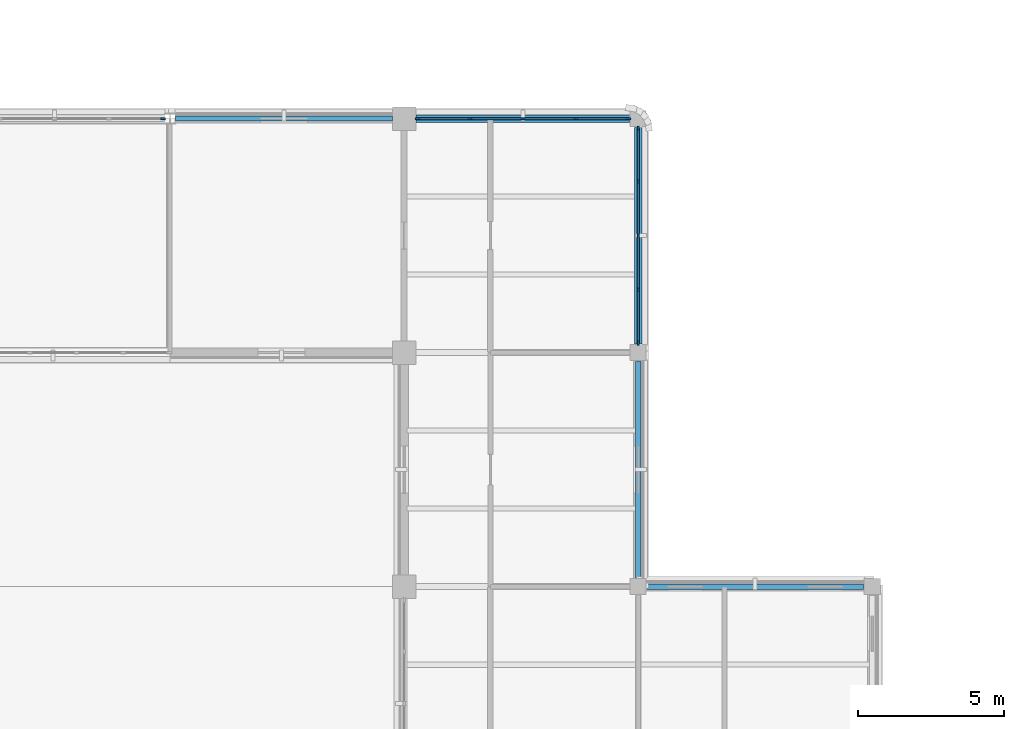
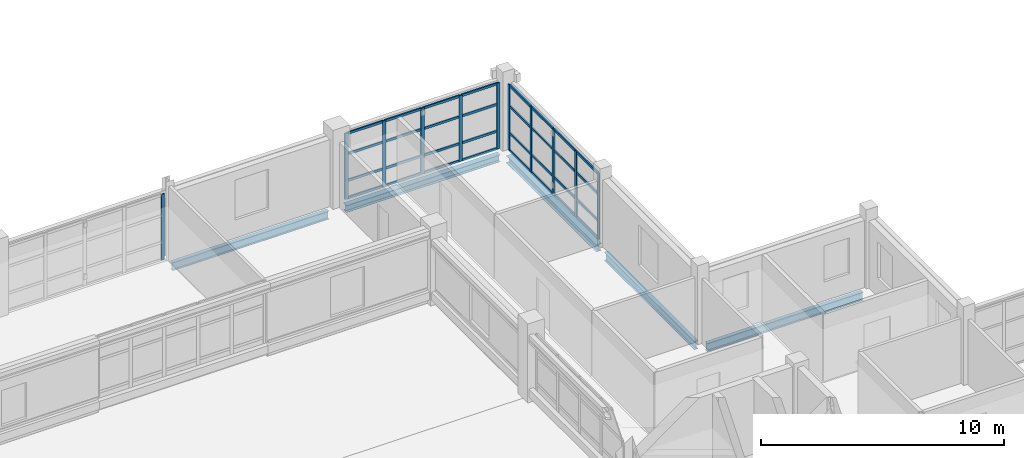
# One storey, part 37 of 107: 43 members, 5 beams, 3 elements without a shape of their own.
"""IFC4 building model written with IfcOpenShell, lengths in metres."""

from ifc_helpers import new_model, si_unit, derived_unit, direction, frame, origin, origin_2d, place, context, subcontext, project, spatial, rectangle, i_section, extrude, material, layer, layer_set, material_profile, profile_set, type_object, element, aggregate, save


model = new_model("IFC4")

# Units and contexts
model_context = context("Model", 3, precision=1e-05, world=origin(), true_north=direction((0.0, 1.0)))
body_context = subcontext(model_context, "Body", "Model", "MODEL_VIEW")
ifc_project = project(units=[si_unit("LENGTHUNIT", "METRE"), si_unit("AREAUNIT", "SQUARE_METRE"), si_unit("VOLUMEUNIT", "CUBIC_METRE"), si_unit("PLANEANGLEUNIT", "RADIAN"), si_unit("MASSUNIT", "GRAM", prefix="KILO"), derived_unit("THERMALTRANSMITTANCEUNIT", [(si_unit("MASSUNIT", "GRAM", prefix="KILO"), 1), (si_unit("TIMEUNIT", "SECOND"), -3), (si_unit("THERMODYNAMICTEMPERATUREUNIT", "KELVIN"), -1)])], contexts=[model_context])

# Site, building, storey
site_placement = place(None, origin())
site = spatial("IfcSite", under=ifc_project, at=site_placement, CompositionType="ELEMENT")
building_placement = place(site_placement, origin())
building = spatial("IfcBuilding", under=site, at=building_placement, Name="Veyamyaing Civic Hall", CompositionType="ELEMENT")
storey_placement = place(building_placement, frame((0.0, 0.0, 13.860107421875)))
storey = spatial("IfcBuildingStorey", under=building, at=storey_placement, Name="L03", CompositionType="ELEMENT", Elevation=13.860107421875)

# Beams
ifc_material_1 = material(Name="Steel ASTM A992", Category="steel")
ifc_material_profile_1 = material_profile(ifc_material_1, i_section(OverallWidth=0.180908203125, OverallDepth=0.4169921875, WebThickness=0.010986328125, FlangeThickness=0.018310546875, FilletRadius=0.010009765625, at=origin_2d()), Name="W410X85")
ifc_profile_set_1 = profile_set([ifc_material_profile_1], Name="Steel ASTM A992")
beam_type_1 = type_object("IfcBeamType", Name="B-19", PredefinedType="SPANDREL", material=ifc_profile_set_1)
beam_1_placement = place(storey_placement, frame((112.300048828125, 64.0, -0.463623046875), z_axis=(1.0, 0.0, 0.0), x_axis=(0.0, 1.0, 0.0)))
element("IfcBeam", 1, at=beam_1_placement, inside=storey, type_object=beam_type_1, Name="Girder B-19 L03 Grid J 15-16", PredefinedType="SPANDREL", context=body_context, shape_type="SweptSolid", body=[
    extrude(i_section(OverallWidth=0.180908203125, OverallDepth=0.4169921875, WebThickness=0.010986328125, FlangeThickness=0.018310546875, FilletRadius=0.010009765625, at=origin_2d()), origin(), (0.0, 0.0, 1.0), 7.39990234375),
])
beam_2_placement = place(storey_placement, frame((96.185546875, 80.0, -0.463623046875), z_axis=(1.0, 0.0, 0.0), x_axis=(0.0, 1.0, 0.0)))
element("IfcBeam", 2, at=beam_2_placement, inside=storey, type_object=beam_type_1, Name="Girder B-19 L03 Grid L 13-14", PredefinedType="SPANDREL", context=body_context, shape_type="SweptSolid", body=[
    extrude(i_section(OverallWidth=0.180908203125, OverallDepth=0.4169921875, WebThickness=0.010986328125, FlangeThickness=0.018310546875, FilletRadius=0.010009765625, at=origin_2d()), origin(), (0.0, 0.0, 1.0), 7.41455078125),
])
beam_3_placement = place(storey_placement, frame((112.0, 64.300048828125, -0.463623046875), z_axis=(0.0, 1.0, 0.0), x_axis=(-1.0, 0.0, 0.0)))
element("IfcBeam", 3, at=beam_3_placement, inside=storey, type_object=beam_type_1, Name="Girder B-19 L03 Grid 15 J-K", PredefinedType="SPANDREL", context=body_context, shape_type="SweptSolid", body=[
    extrude(i_section(OverallWidth=0.180908203125, OverallDepth=0.4169921875, WebThickness=0.010986328125, FlangeThickness=0.018310546875, FilletRadius=0.010009765625, at=origin_2d()), origin(), (0.0, 0.0, 1.0), 7.39990234375),
])
ifc_material_profile_2 = material_profile(ifc_material_1, i_section(OverallWidth=0.25390625, OverallDepth=0.35302734375, WebThickness=0.009521484375, FlangeThickness=0.016357421875, FilletRadius=0.011962890625, at=origin_2d()), Name="W360X91")
ifc_profile_set_2 = profile_set([ifc_material_profile_2], Name="Steel ASTM A992")
beam_type_2 = type_object("IfcBeamType", Name="B-20", PredefinedType="SPANDREL", material=ifc_profile_set_2)
beam_4_placement = place(storey_placement, frame((104.39990234375, 80.0, -0.431640625), z_axis=(1.0, 0.0, 0.0), x_axis=(0.0, 1.0, 0.0)))
element("IfcBeam", 4, at=beam_4_placement, inside=storey, type_object=beam_type_2, Name="Girder B-20 L03 Grid L 14-15", PredefinedType="SPANDREL", context=body_context, shape_type="SweptSolid", body=[
    extrude(i_section(OverallWidth=0.25390625, OverallDepth=0.35302734375, WebThickness=0.009521484375, FlangeThickness=0.016357421875, FilletRadius=0.011962890625, at=origin_2d()), origin(), (0.0, 0.0, 1.0), 7.300048828125),
])
beam_5_placement = place(storey_placement, frame((112.0, 72.300048828125, -0.431640625), z_axis=(0.0, 1.0, 0.0), x_axis=(-1.0, 0.0, 0.0)))
element("IfcBeam", 5, at=beam_5_placement, inside=storey, type_object=beam_type_2, Name="Girder B-20 L03 Grid 15 K-L", PredefinedType="SPANDREL", context=body_context, shape_type="SweptSolid", body=[
    extrude(i_section(OverallWidth=0.25390625, OverallDepth=0.35302734375, WebThickness=0.009521484375, FlangeThickness=0.016357421875, FilletRadius=0.011962890625, at=origin_2d()), origin(), (0.0, 0.0, 1.0), 7.39990234375),
])

# Curtain wall, member
ifc_material_2 = material(Name="Anodised aluminium 6063-T6", Category="aluminium")
ifc_layer = layer(ifc_material_2, 0.159912109375, Name="Anodised aluminium 6063-T6")
ifc_layer_set = layer_set([ifc_layer], Name="Anodised aluminium 6063-T6")
curtain_wall_type = type_object("IfcCurtainWallType", Name="CW-07", PredefinedType="NOTDEFINED", material=ifc_layer_set)
curtain_wall_1_placement = place(storey_placement, origin())
curtain_wall_1 = element("IfcCurtainWall", 6, at=curtain_wall_1_placement, inside=storey, type_object=curtain_wall_type, Name="Unitized curtain wall CW-07 L03 N 12.10", PredefinedType="NOTDEFINED")
ifc_material_profile_3 = material_profile(ifc_material_2, rectangle(XDim=0.06494140625, YDim=0.159912109375, at=origin_2d()), Name="ALU-MUL-65X160")
ifc_profile_set_3 = profile_set([ifc_material_profile_3], Name="Anodised aluminium 6063-T6")
member_type_1 = type_object("IfcMemberType", Name="CWM-01", PredefinedType="MULLION", material=ifc_profile_set_3)
member_1_placement = place(storey_placement, frame((95.7529296875, 80.0, 0.0), z_axis=(0.0, 0.0, 1.0), x_axis=(0.0, 1.0, 0.0)))
member_1 = element("IfcMember", 7, at=member_1_placement, type_object=member_type_1, Name="CW-07 mullion 5", PredefinedType="MULLION", context=body_context, shape_type="SweptSolid", body=[
    extrude(rectangle(XDim=0.06494140625, YDim=0.159912109375, at=origin_2d()), origin(), (0.0, 0.0, 1.0), 3.294921875),
])
aggregate(curtain_wall_1, [member_1])

# Curtain wall, members
curtain_wall_2_placement = place(storey_placement, origin())
curtain_wall_2 = element("IfcCurtainWall", 8, at=curtain_wall_2_placement, inside=storey, type_object=curtain_wall_type, Name="Unitized curtain wall CW-07 L03 N 14.10", PredefinedType="NOTDEFINED")
member_2_placement = place(storey_placement, frame((104.46240234375, 80.0, 0.0), z_axis=(0.0, 0.0, 1.0), x_axis=(0.0, 1.0, 0.0)))
member_2 = element("IfcMember", 9, at=member_2_placement, type_object=member_type_1, Name="CW-07 mullion 1", PredefinedType="MULLION", context=body_context, shape_type="SweptSolid", body=[
    extrude(rectangle(XDim=0.06494140625, YDim=0.159912109375, at=origin_2d()), origin(), (0.0, 0.0, 1.0), 3.303955078125),
])
member_3_placement = place(storey_placement, frame((106.246337890625, 80.0, 0.0), z_axis=(0.0, 0.0, 1.0), x_axis=(0.0, 1.0, 0.0)))
member_3 = element("IfcMember", 10, at=member_3_placement, type_object=member_type_1, Name="CW-07 mullion 2", PredefinedType="MULLION", context=body_context, shape_type="SweptSolid", body=[
    extrude(rectangle(XDim=0.06494140625, YDim=0.159912109375, at=origin_2d()), origin(), (0.0, 0.0, 1.0), 3.303955078125),
])
member_4_placement = place(storey_placement, frame((108.0625, 80.0, 0.0), z_axis=(0.0, 0.0, 1.0), x_axis=(0.0, 1.0, 0.0)))
member_4 = element("IfcMember", 11, at=member_4_placement, type_object=member_type_1, Name="CW-07 mullion 3", PredefinedType="MULLION", context=body_context, shape_type="SweptSolid", body=[
    extrude(rectangle(XDim=0.06494140625, YDim=0.159912109375, at=origin_2d()), origin(), (0.0, 0.0, 1.0), 3.303955078125),
])
member_5_placement = place(storey_placement, frame((109.878662109375, 80.0, 0.0), z_axis=(0.0, 0.0, 1.0), x_axis=(0.0, 1.0, 0.0)))
member_5 = element("IfcMember", 12, at=member_5_placement, type_object=member_type_1, Name="CW-07 mullion 4", PredefinedType="MULLION", context=body_context, shape_type="SweptSolid", body=[
    extrude(rectangle(XDim=0.06494140625, YDim=0.159912109375, at=origin_2d()), origin(), (0.0, 0.0, 1.0), 3.303955078125),
])
member_6_placement = place(storey_placement, frame((111.66259765625, 80.0, 0.0), z_axis=(0.0, 0.0, 1.0), x_axis=(0.0, 1.0, 0.0)))
member_6 = element("IfcMember", 13, at=member_6_placement, type_object=member_type_1, Name="CW-07 mullion 5", PredefinedType="MULLION", context=body_context, shape_type="SweptSolid", body=[
    extrude(rectangle(XDim=0.06494140625, YDim=0.159912109375, at=origin_2d()), origin(), (0.0, 0.0, 1.0), 3.303955078125),
])

curtain_wall_3_placement = place(storey_placement, origin())
curtain_wall_3 = element("IfcCurtainWall", 14, at=curtain_wall_3_placement, inside=storey, type_object=curtain_wall_type, Name="Unitized curtain wall CW-07 L03 E 14.10", PredefinedType="NOTDEFINED")
member_7_placement = place(storey_placement, frame((112.0, 72.33740234375, 0.0), z_axis=(0.0, 0.0, 1.0), x_axis=(-1.0, 0.0, 0.0)))
member_7 = element("IfcMember", 15, at=member_7_placement, type_object=member_type_1, Name="CW-07 mullion 1", PredefinedType="MULLION", context=body_context, shape_type="SweptSolid", body=[
    extrude(rectangle(XDim=0.06494140625, YDim=0.159912109375, at=origin_2d()), origin(), (0.0, 0.0, 1.0), 3.303955078125),
])
member_8_placement = place(storey_placement, frame((112.0, 74.152587890625, 0.0), z_axis=(0.0, 0.0, 1.0), x_axis=(-1.0, 0.0, 0.0)))
member_8 = element("IfcMember", 16, at=member_8_placement, type_object=member_type_1, Name="CW-07 mullion 2", PredefinedType="MULLION", context=body_context, shape_type="SweptSolid", body=[
    extrude(rectangle(XDim=0.06494140625, YDim=0.159912109375, at=origin_2d()), origin(), (0.0, 0.0, 1.0), 3.303955078125),
])
member_9_placement = place(storey_placement, frame((112.0, 76.0, 0.0), z_axis=(0.0, 0.0, 1.0), x_axis=(-1.0, 0.0, 0.0)))
member_9 = element("IfcMember", 17, at=member_9_placement, type_object=member_type_1, Name="CW-07 mullion 3", PredefinedType="MULLION", context=body_context, shape_type="SweptSolid", body=[
    extrude(rectangle(XDim=0.06494140625, YDim=0.159912109375, at=origin_2d()), origin(), (0.0, 0.0, 1.0), 3.303955078125),
])
member_10_placement = place(storey_placement, frame((112.0, 77.847412109375, 0.0), z_axis=(0.0, 0.0, 1.0), x_axis=(-1.0, 0.0, 0.0)))
member_10 = element("IfcMember", 18, at=member_10_placement, type_object=member_type_1, Name="CW-07 mullion 4", PredefinedType="MULLION", context=body_context, shape_type="SweptSolid", body=[
    extrude(rectangle(XDim=0.06494140625, YDim=0.159912109375, at=origin_2d()), origin(), (0.0, 0.0, 1.0), 3.303955078125),
])
member_11_placement = place(storey_placement, frame((112.0, 79.66259765625, 0.0), z_axis=(0.0, 0.0, 1.0), x_axis=(-1.0, 0.0, 0.0)))
member_11 = element("IfcMember", 19, at=member_11_placement, type_object=member_type_1, Name="CW-07 mullion 5", PredefinedType="MULLION", context=body_context, shape_type="SweptSolid", body=[
    extrude(rectangle(XDim=0.06494140625, YDim=0.159912109375, at=origin_2d()), origin(), (0.0, 0.0, 1.0), 3.303955078125),
])

# Member
ifc_material_profile_4 = material_profile(ifc_material_2, rectangle(XDim=0.06494140625, YDim=0.1201171875, at=origin_2d()), Name="ALU-TRN-65X120")
ifc_profile_set_4 = profile_set([ifc_material_profile_4], Name="Anodised aluminium 6063-T6")
member_type_2 = type_object("IfcMemberType", Name="CWT-01", PredefinedType="USERDEFINED", material=ifc_profile_set_4)
member_12_placement = place(storey_placement, frame((104.4951171875, 80.0, 0.032470703125), z_axis=(1.0, 0.0, 0.0), x_axis=(0.0, 1.0, 0.0)))
member_12 = element("IfcMember", 20, at=member_12_placement, type_object=member_type_2, Name="CW-07 transom 1.1", ObjectType="TRANSOM", PredefinedType="USERDEFINED", context=body_context, shape_type="SweptSolid", body=[
    extrude(rectangle(XDim=0.06494140625, YDim=0.1201171875, at=origin_2d()), origin(), (0.0, 0.0, 1.0), 1.71875),
])

member_13_placement = place(storey_placement, frame((104.4951171875, 80.0, 0.89990234375), z_axis=(1.0, 0.0, 0.0), x_axis=(0.0, 1.0, 0.0)))
member_13 = element("IfcMember", 21, at=member_13_placement, type_object=member_type_2, Name="CW-07 transom 1.2", ObjectType="TRANSOM", PredefinedType="USERDEFINED", context=body_context, shape_type="SweptSolid", body=[
    extrude(rectangle(XDim=0.06494140625, YDim=0.1201171875, at=origin_2d()), origin(), (0.0, 0.0, 1.0), 1.71875),
])

member_14_placement = place(storey_placement, frame((104.4951171875, 80.0, 2.24658203125), z_axis=(1.0, 0.0, 0.0), x_axis=(0.0, 1.0, 0.0)))
member_14 = element("IfcMember", 22, at=member_14_placement, type_object=member_type_2, Name="CW-07 transom 1.3", ObjectType="TRANSOM", PredefinedType="USERDEFINED", context=body_context, shape_type="SweptSolid", body=[
    extrude(rectangle(XDim=0.06494140625, YDim=0.1201171875, at=origin_2d()), origin(), (0.0, 0.0, 1.0), 1.71875),
])

member_15_placement = place(storey_placement, frame((104.4951171875, 80.0, 3.271484375), z_axis=(1.0, 0.0, 0.0), x_axis=(0.0, 1.0, 0.0)))
member_15 = element("IfcMember", 23, at=member_15_placement, type_object=member_type_2, Name="CW-07 transom 1.4", ObjectType="TRANSOM", PredefinedType="USERDEFINED", context=body_context, shape_type="SweptSolid", body=[
    extrude(rectangle(XDim=0.06494140625, YDim=0.1201171875, at=origin_2d()), origin(), (0.0, 0.0, 1.0), 1.71875),
])

member_16_placement = place(storey_placement, frame((106.27880859375, 80.0, 0.032470703125), z_axis=(1.0, 0.0, 0.0), x_axis=(0.0, 1.0, 0.0)))
member_16 = element("IfcMember", 24, at=member_16_placement, type_object=member_type_2, Name="CW-07 transom 2.1", ObjectType="TRANSOM", PredefinedType="USERDEFINED", context=body_context, shape_type="SweptSolid", body=[
    extrude(rectangle(XDim=0.06494140625, YDim=0.1201171875, at=origin_2d()), origin(), (0.0, 0.0, 1.0), 1.751220703125),
])

member_17_placement = place(storey_placement, frame((106.27880859375, 80.0, 0.89990234375), z_axis=(1.0, 0.0, 0.0), x_axis=(0.0, 1.0, 0.0)))
member_17 = element("IfcMember", 25, at=member_17_placement, type_object=member_type_2, Name="CW-07 transom 2.2", ObjectType="TRANSOM", PredefinedType="USERDEFINED", context=body_context, shape_type="SweptSolid", body=[
    extrude(rectangle(XDim=0.06494140625, YDim=0.1201171875, at=origin_2d()), origin(), (0.0, 0.0, 1.0), 1.751220703125),
])

member_18_placement = place(storey_placement, frame((106.27880859375, 80.0, 2.24658203125), z_axis=(1.0, 0.0, 0.0), x_axis=(0.0, 1.0, 0.0)))
member_18 = element("IfcMember", 26, at=member_18_placement, type_object=member_type_2, Name="CW-07 transom 2.3", ObjectType="TRANSOM", PredefinedType="USERDEFINED", context=body_context, shape_type="SweptSolid", body=[
    extrude(rectangle(XDim=0.06494140625, YDim=0.1201171875, at=origin_2d()), origin(), (0.0, 0.0, 1.0), 1.751220703125),
])

member_19_placement = place(storey_placement, frame((106.27880859375, 80.0, 3.271484375), z_axis=(1.0, 0.0, 0.0), x_axis=(0.0, 1.0, 0.0)))
member_19 = element("IfcMember", 27, at=member_19_placement, type_object=member_type_2, Name="CW-07 transom 2.4", ObjectType="TRANSOM", PredefinedType="USERDEFINED", context=body_context, shape_type="SweptSolid", body=[
    extrude(rectangle(XDim=0.06494140625, YDim=0.1201171875, at=origin_2d()), origin(), (0.0, 0.0, 1.0), 1.751220703125),
])

member_20_placement = place(storey_placement, frame((108.094970703125, 80.0, 0.032470703125), z_axis=(1.0, 0.0, 0.0), x_axis=(0.0, 1.0, 0.0)))
member_20 = element("IfcMember", 28, at=member_20_placement, type_object=member_type_2, Name="CW-07 transom 3.1", ObjectType="TRANSOM", PredefinedType="USERDEFINED", context=body_context, shape_type="SweptSolid", body=[
    extrude(rectangle(XDim=0.06494140625, YDim=0.1201171875, at=origin_2d()), origin(), (0.0, 0.0, 1.0), 1.751220703125),
])

member_21_placement = place(storey_placement, frame((108.094970703125, 80.0, 0.89990234375), z_axis=(1.0, 0.0, 0.0), x_axis=(0.0, 1.0, 0.0)))
member_21 = element("IfcMember", 29, at=member_21_placement, type_object=member_type_2, Name="CW-07 transom 3.2", ObjectType="TRANSOM", PredefinedType="USERDEFINED", context=body_context, shape_type="SweptSolid", body=[
    extrude(rectangle(XDim=0.06494140625, YDim=0.1201171875, at=origin_2d()), origin(), (0.0, 0.0, 1.0), 1.751220703125),
])

member_22_placement = place(storey_placement, frame((108.094970703125, 80.0, 2.24658203125), z_axis=(1.0, 0.0, 0.0), x_axis=(0.0, 1.0, 0.0)))
member_22 = element("IfcMember", 30, at=member_22_placement, type_object=member_type_2, Name="CW-07 transom 3.3", ObjectType="TRANSOM", PredefinedType="USERDEFINED", context=body_context, shape_type="SweptSolid", body=[
    extrude(rectangle(XDim=0.06494140625, YDim=0.1201171875, at=origin_2d()), origin(), (0.0, 0.0, 1.0), 1.751220703125),
])

member_23_placement = place(storey_placement, frame((108.094970703125, 80.0, 3.271484375), z_axis=(1.0, 0.0, 0.0), x_axis=(0.0, 1.0, 0.0)))
member_23 = element("IfcMember", 31, at=member_23_placement, type_object=member_type_2, Name="CW-07 transom 3.4", ObjectType="TRANSOM", PredefinedType="USERDEFINED", context=body_context, shape_type="SweptSolid", body=[
    extrude(rectangle(XDim=0.06494140625, YDim=0.1201171875, at=origin_2d()), origin(), (0.0, 0.0, 1.0), 1.751220703125),
])

member_24_placement = place(storey_placement, frame((109.9111328125, 80.0, 0.032470703125), z_axis=(1.0, 0.0, 0.0), x_axis=(0.0, 1.0, 0.0)))
member_24 = element("IfcMember", 32, at=member_24_placement, type_object=member_type_2, Name="CW-07 transom 4.1", ObjectType="TRANSOM", PredefinedType="USERDEFINED", context=body_context, shape_type="SweptSolid", body=[
    extrude(rectangle(XDim=0.06494140625, YDim=0.1201171875, at=origin_2d()), origin(), (0.0, 0.0, 1.0), 1.71875),
])

member_25_placement = place(storey_placement, frame((109.9111328125, 80.0, 0.89990234375), z_axis=(1.0, 0.0, 0.0), x_axis=(0.0, 1.0, 0.0)))
member_25 = element("IfcMember", 33, at=member_25_placement, type_object=member_type_2, Name="CW-07 transom 4.2", ObjectType="TRANSOM", PredefinedType="USERDEFINED", context=body_context, shape_type="SweptSolid", body=[
    extrude(rectangle(XDim=0.06494140625, YDim=0.1201171875, at=origin_2d()), origin(), (0.0, 0.0, 1.0), 1.71875),
])

member_26_placement = place(storey_placement, frame((109.9111328125, 80.0, 2.24658203125), z_axis=(1.0, 0.0, 0.0), x_axis=(0.0, 1.0, 0.0)))
member_26 = element("IfcMember", 34, at=member_26_placement, type_object=member_type_2, Name="CW-07 transom 4.3", ObjectType="TRANSOM", PredefinedType="USERDEFINED", context=body_context, shape_type="SweptSolid", body=[
    extrude(rectangle(XDim=0.06494140625, YDim=0.1201171875, at=origin_2d()), origin(), (0.0, 0.0, 1.0), 1.71875),
])

member_27_placement = place(storey_placement, frame((109.9111328125, 80.0, 3.271484375), z_axis=(1.0, 0.0, 0.0), x_axis=(0.0, 1.0, 0.0)))
member_27 = element("IfcMember", 35, at=member_27_placement, type_object=member_type_2, Name="CW-07 transom 4.4", ObjectType="TRANSOM", PredefinedType="USERDEFINED", context=body_context, shape_type="SweptSolid", body=[
    extrude(rectangle(XDim=0.06494140625, YDim=0.1201171875, at=origin_2d()), origin(), (0.0, 0.0, 1.0), 1.71875),
])

aggregate(curtain_wall_2, [member_2, member_3, member_4, member_5, member_6, member_12, member_13, member_14, member_15, member_16, member_17, member_18, member_19, member_20, member_21, member_22, member_23, member_24, member_25, member_26, member_27])

member_28_placement = place(storey_placement, frame((112.0, 72.3701171875, 0.032470703125), z_axis=(0.0, 1.0, 0.0), x_axis=(-1.0, 0.0, 0.0)))
member_28 = element("IfcMember", 36, at=member_28_placement, type_object=member_type_2, Name="CW-07 transom 1.1", ObjectType="TRANSOM", PredefinedType="USERDEFINED", context=body_context, shape_type="SweptSolid", body=[
    extrude(rectangle(XDim=0.06494140625, YDim=0.1201171875, at=origin_2d()), origin(), (0.0, 0.0, 1.0), 1.75),
])

member_29_placement = place(storey_placement, frame((112.0, 72.3701171875, 0.89990234375), z_axis=(0.0, 1.0, 0.0), x_axis=(-1.0, 0.0, 0.0)))
member_29 = element("IfcMember", 37, at=member_29_placement, type_object=member_type_2, Name="CW-07 transom 1.2", ObjectType="TRANSOM", PredefinedType="USERDEFINED", context=body_context, shape_type="SweptSolid", body=[
    extrude(rectangle(XDim=0.06494140625, YDim=0.1201171875, at=origin_2d()), origin(), (0.0, 0.0, 1.0), 1.75),
])

member_30_placement = place(storey_placement, frame((112.0, 72.3701171875, 2.24658203125), z_axis=(0.0, 1.0, 0.0), x_axis=(-1.0, 0.0, 0.0)))
member_30 = element("IfcMember", 38, at=member_30_placement, type_object=member_type_2, Name="CW-07 transom 1.3", ObjectType="TRANSOM", PredefinedType="USERDEFINED", context=body_context, shape_type="SweptSolid", body=[
    extrude(rectangle(XDim=0.06494140625, YDim=0.1201171875, at=origin_2d()), origin(), (0.0, 0.0, 1.0), 1.75),
])

member_31_placement = place(storey_placement, frame((112.0, 72.3701171875, 3.271484375), z_axis=(0.0, 1.0, 0.0), x_axis=(-1.0, 0.0, 0.0)))
member_31 = element("IfcMember", 39, at=member_31_placement, type_object=member_type_2, Name="CW-07 transom 1.4", ObjectType="TRANSOM", PredefinedType="USERDEFINED", context=body_context, shape_type="SweptSolid", body=[
    extrude(rectangle(XDim=0.06494140625, YDim=0.1201171875, at=origin_2d()), origin(), (0.0, 0.0, 1.0), 1.75),
])

member_32_placement = place(storey_placement, frame((112.0, 74.18505859375, 0.032470703125), z_axis=(0.0, 1.0, 0.0), x_axis=(-1.0, 0.0, 0.0)))
member_32 = element("IfcMember", 40, at=member_32_placement, type_object=member_type_2, Name="CW-07 transom 2.1", ObjectType="TRANSOM", PredefinedType="USERDEFINED", context=body_context, shape_type="SweptSolid", body=[
    extrude(rectangle(XDim=0.06494140625, YDim=0.1201171875, at=origin_2d()), origin(), (0.0, 0.0, 1.0), 1.782470703125),
])

member_33_placement = place(storey_placement, frame((112.0, 74.18505859375, 0.89990234375), z_axis=(0.0, 1.0, 0.0), x_axis=(-1.0, 0.0, 0.0)))
member_33 = element("IfcMember", 41, at=member_33_placement, type_object=member_type_2, Name="CW-07 transom 2.2", ObjectType="TRANSOM", PredefinedType="USERDEFINED", context=body_context, shape_type="SweptSolid", body=[
    extrude(rectangle(XDim=0.06494140625, YDim=0.1201171875, at=origin_2d()), origin(), (0.0, 0.0, 1.0), 1.782470703125),
])

member_34_placement = place(storey_placement, frame((112.0, 74.18505859375, 2.24658203125), z_axis=(0.0, 1.0, 0.0), x_axis=(-1.0, 0.0, 0.0)))
member_34 = element("IfcMember", 42, at=member_34_placement, type_object=member_type_2, Name="CW-07 transom 2.3", ObjectType="TRANSOM", PredefinedType="USERDEFINED", context=body_context, shape_type="SweptSolid", body=[
    extrude(rectangle(XDim=0.06494140625, YDim=0.1201171875, at=origin_2d()), origin(), (0.0, 0.0, 1.0), 1.782470703125),
])

member_35_placement = place(storey_placement, frame((112.0, 74.18505859375, 3.271484375), z_axis=(0.0, 1.0, 0.0), x_axis=(-1.0, 0.0, 0.0)))
member_35 = element("IfcMember", 43, at=member_35_placement, type_object=member_type_2, Name="CW-07 transom 2.4", ObjectType="TRANSOM", PredefinedType="USERDEFINED", context=body_context, shape_type="SweptSolid", body=[
    extrude(rectangle(XDim=0.06494140625, YDim=0.1201171875, at=origin_2d()), origin(), (0.0, 0.0, 1.0), 1.782470703125),
])

member_36_placement = place(storey_placement, frame((112.0, 76.032470703125, 0.032470703125), z_axis=(0.0, 1.0, 0.0), x_axis=(-1.0, 0.0, 0.0)))
member_36 = element("IfcMember", 44, at=member_36_placement, type_object=member_type_2, Name="CW-07 transom 3.1", ObjectType="TRANSOM", PredefinedType="USERDEFINED", context=body_context, shape_type="SweptSolid", body=[
    extrude(rectangle(XDim=0.06494140625, YDim=0.1201171875, at=origin_2d()), origin(), (0.0, 0.0, 1.0), 1.782470703125),
])

member_37_placement = place(storey_placement, frame((112.0, 76.032470703125, 0.89990234375), z_axis=(0.0, 1.0, 0.0), x_axis=(-1.0, 0.0, 0.0)))
member_37 = element("IfcMember", 45, at=member_37_placement, type_object=member_type_2, Name="CW-07 transom 3.2", ObjectType="TRANSOM", PredefinedType="USERDEFINED", context=body_context, shape_type="SweptSolid", body=[
    extrude(rectangle(XDim=0.06494140625, YDim=0.1201171875, at=origin_2d()), origin(), (0.0, 0.0, 1.0), 1.782470703125),
])

member_38_placement = place(storey_placement, frame((112.0, 76.032470703125, 2.24658203125), z_axis=(0.0, 1.0, 0.0), x_axis=(-1.0, 0.0, 0.0)))
member_38 = element("IfcMember", 46, at=member_38_placement, type_object=member_type_2, Name="CW-07 transom 3.3", ObjectType="TRANSOM", PredefinedType="USERDEFINED", context=body_context, shape_type="SweptSolid", body=[
    extrude(rectangle(XDim=0.06494140625, YDim=0.1201171875, at=origin_2d()), origin(), (0.0, 0.0, 1.0), 1.782470703125),
])

member_39_placement = place(storey_placement, frame((112.0, 76.032470703125, 3.271484375), z_axis=(0.0, 1.0, 0.0), x_axis=(-1.0, 0.0, 0.0)))
member_39 = element("IfcMember", 47, at=member_39_placement, type_object=member_type_2, Name="CW-07 transom 3.4", ObjectType="TRANSOM", PredefinedType="USERDEFINED", context=body_context, shape_type="SweptSolid", body=[
    extrude(rectangle(XDim=0.06494140625, YDim=0.1201171875, at=origin_2d()), origin(), (0.0, 0.0, 1.0), 1.782470703125),
])

member_40_placement = place(storey_placement, frame((112.0, 77.8798828125, 0.032470703125), z_axis=(0.0, 1.0, 0.0), x_axis=(-1.0, 0.0, 0.0)))
member_40 = element("IfcMember", 48, at=member_40_placement, type_object=member_type_2, Name="CW-07 transom 4.1", ObjectType="TRANSOM", PredefinedType="USERDEFINED", context=body_context, shape_type="SweptSolid", body=[
    extrude(rectangle(XDim=0.06494140625, YDim=0.1201171875, at=origin_2d()), origin(), (0.0, 0.0, 1.0), 1.75),
])

member_41_placement = place(storey_placement, frame((112.0, 77.8798828125, 0.89990234375), z_axis=(0.0, 1.0, 0.0), x_axis=(-1.0, 0.0, 0.0)))
member_41 = element("IfcMember", 49, at=member_41_placement, type_object=member_type_2, Name="CW-07 transom 4.2", ObjectType="TRANSOM", PredefinedType="USERDEFINED", context=body_context, shape_type="SweptSolid", body=[
    extrude(rectangle(XDim=0.06494140625, YDim=0.1201171875, at=origin_2d()), origin(), (0.0, 0.0, 1.0), 1.75),
])

member_42_placement = place(storey_placement, frame((112.0, 77.8798828125, 2.24658203125), z_axis=(0.0, 1.0, 0.0), x_axis=(-1.0, 0.0, 0.0)))
member_42 = element("IfcMember", 50, at=member_42_placement, type_object=member_type_2, Name="CW-07 transom 4.3", ObjectType="TRANSOM", PredefinedType="USERDEFINED", context=body_context, shape_type="SweptSolid", body=[
    extrude(rectangle(XDim=0.06494140625, YDim=0.1201171875, at=origin_2d()), origin(), (0.0, 0.0, 1.0), 1.75),
])

member_43_placement = place(storey_placement, frame((112.0, 77.8798828125, 3.271484375), z_axis=(0.0, 1.0, 0.0), x_axis=(-1.0, 0.0, 0.0)))
member_43 = element("IfcMember", 51, at=member_43_placement, type_object=member_type_2, Name="CW-07 transom 4.4", ObjectType="TRANSOM", PredefinedType="USERDEFINED", context=body_context, shape_type="SweptSolid", body=[
    extrude(rectangle(XDim=0.06494140625, YDim=0.1201171875, at=origin_2d()), origin(), (0.0, 0.0, 1.0), 1.75),
])

aggregate(curtain_wall_3, [member_7, member_8, member_9, member_10, member_11, member_28, member_29, member_30, member_31, member_32, member_33, member_34, member_35, member_36, member_37, member_38, member_39, member_40, member_41, member_42, member_43])

save(model, "model.ifc")
